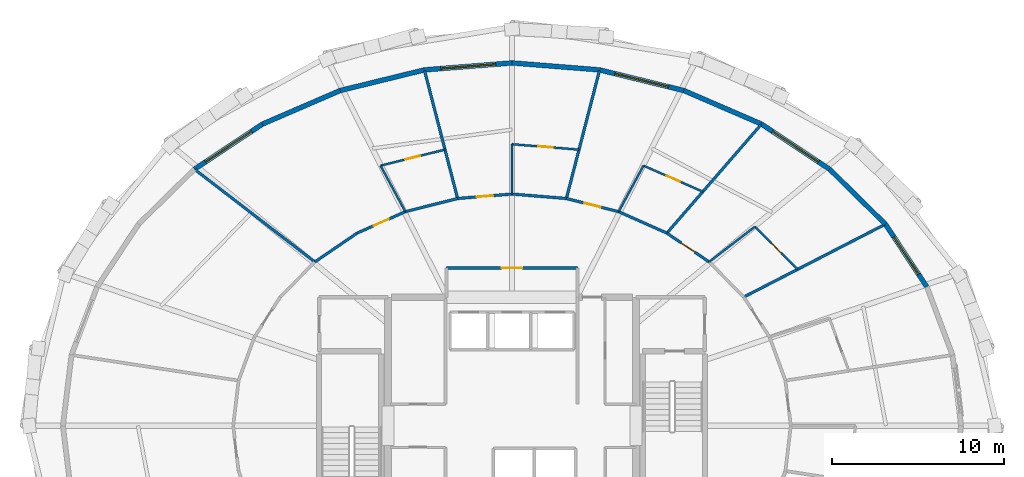
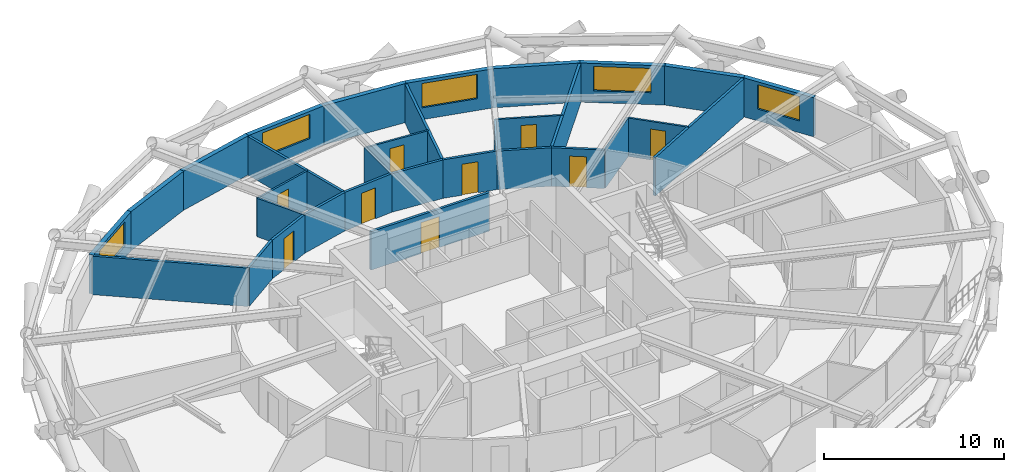
# One storey, part 15 of 18: 32 walls, 9 doors, 5 windows, 14 openings.
"""IFC4 building model written with IfcOpenShell, lengths in metres."""

from ifc_helpers import new_model, si_unit, direction, frame, frame_2d, origin, place, context, subcontext, project, spatial, rectangle, extrude, material, layer, layer_set, type_object, element, fill, save


model = new_model("IFC4")

# Units and contexts
model_context = context("Model", 3, precision=1e-05, world=origin(), true_north=direction((0.0, 1.0)))
body_context = subcontext(model_context, "Body", "Model", "MODEL_VIEW")
ifc_project = project(units=[si_unit("LENGTHUNIT", "METRE"), si_unit("AREAUNIT", "SQUARE_METRE"), si_unit("VOLUMEUNIT", "CUBIC_METRE"), si_unit("PLANEANGLEUNIT", "RADIAN"), si_unit("MASSUNIT", "GRAM", prefix="KILO")], contexts=[model_context])

# Site, building, storey
site_placement = place(None, origin())
site = spatial("IfcSite", under=ifc_project, at=site_placement, CompositionType="ELEMENT")
building_placement = place(site_placement, origin())
building = spatial("IfcBuilding", under=site, at=building_placement, Name="Veldorina Hangang Commons", CompositionType="ELEMENT")
storey_placement = place(building_placement, frame((0.0, 0.0, 41.199951171875)))
storey = spatial("IfcBuildingStorey", under=building, at=storey_placement, Name="L09", CompositionType="ELEMENT", Elevation=41.199951171875)

# Wall, opening, window
ifc_material_1 = material(Name="Stone Roman Travertine", Category="masonry")
ifc_layer_1 = layer(ifc_material_1, 0.280029296875)
ifc_layer_set_1 = layer_set([ifc_layer_1], Name="Stone Roman Travertine")
wall_type_1 = type_object("IfcWallType", Name="EW-TRAV-280", PredefinedType="STANDARD", material=ifc_layer_set_1)
wall_1_placement = place(storey_placement, frame((56.0537109375, 32.0498046875, 0.0), z_axis=(0.0, 0.0, 1.0), x_axis=(-0.551763829148, 0.834000405782, 0.0)))
wall_1 = element("IfcWall", 1, at=wall_1_placement, inside=storey, type_object=wall_type_1, Name="L09 travertine facade wall 02", PredefinedType="STANDARD", context=body_context, shape_type="SweptSolid", body=[
    extrude(rectangle(XDim=4.360595703125, YDim=0.280029296875, at=frame_2d((2.18017578125, 0.0))), origin(), (0.0, 0.0, 1.0), 2.650146484375),
])
opening_1_placement = place(wall_1_placement, frame((0.88037109375, 0.0, 0.800048828125)))
opening_1 = element("IfcOpeningElement", 2, at=opening_1_placement, cuts=wall_1, Name="Opening W-02", PredefinedType="OPENING", context=body_context, shape_type="SweptSolid", body=[
    extrude(rectangle(XDim=2.60009765625, YDim=1.64990234375, at=frame_2d((1.300048828125, 0.824951171875))), frame((0.0, 0.14990234375, 0.0), z_axis=(0.0, -1.0, 0.0), x_axis=(1.0, 0.0, 0.0)), (0.0, 0.0, 1.0), 0.300048828125),
])
ifc_material_2 = material(Name="Glass Low-E Triple IGU", Category="glass")
window_type_1 = type_object("IfcWindowType", Name="WIN-TWR-2600", PartitioningType="SINGLE_PANEL", PredefinedType="WINDOW", material=ifc_material_2)
window_1_placement = place(opening_1_placement, origin())
window_1 = element("IfcWindow", 3, at=window_1_placement, inside=storey, type_object=window_type_1, Name="L09 facade window 02", OverallHeight=1.64990234375, OverallWidth=2.60009765625, PartitioningType="SINGLE_PANEL", PredefinedType="WINDOW", context=body_context, shape_type="SweptSolid", body=[
    extrude(rectangle(XDim=2.60009765625, YDim=1.64990234375, at=frame_2d((1.300048828125, 0.824951171875))), frame((0.0, 0.030029296875, 0.0), z_axis=(0.0, -1.0, 0.0), x_axis=(1.0, 0.0, 0.0)), (0.0, 0.0, 1.0), 0.06005859375),
])
fill(opening_1, window_1)

# Wall
wall_2_placement = place(storey_placement, frame((53.647705078125, 35.6865234375, 0.0), z_axis=(0.0, 0.0, 1.0), x_axis=(-0.712592855148, 0.701577809506, 0.0)))
element("IfcWall", 4, at=wall_2_placement, inside=storey, type_object=wall_type_1, Name="L09 travertine facade wall 03", PredefinedType="STANDARD", context=body_context, shape_type="SweptSolid", body=[
    extrude(rectangle(XDim=4.543701171875, YDim=0.280029296875, at=frame_2d((2.27197265625, 0.0))), origin(), (0.0, 0.0, 1.0), 2.650146484375),
])

# Wall, opening, window
wall_3_placement = place(storey_placement, frame((50.409912109375, 38.874267578125, 0.0), z_axis=(0.0, 0.0, 1.0), x_axis=(-0.833436218894, 0.552615661229, 0.0)))
wall_3 = element("IfcWall", 5, at=wall_3_placement, inside=storey, type_object=wall_type_1, Name="L09 travertine facade wall 04", PredefinedType="STANDARD", context=body_context, shape_type="SweptSolid", body=[
    extrude(rectangle(XDim=4.73388671875, YDim=0.280029296875, at=frame_2d((2.366943359375, 0.0))), origin(), (0.0, 0.0, 1.0), 2.650146484375),
])
opening_2_placement = place(wall_3_placement, frame((0.766845703125, 0.0, 0.800048828125)))
opening_2 = element("IfcOpeningElement", 6, at=opening_2_placement, cuts=wall_3, Name="Opening W-01", PredefinedType="OPENING", context=body_context, shape_type="SweptSolid", body=[
    extrude(rectangle(XDim=3.199951171875, YDim=1.64990234375, at=frame_2d((1.60009765625, 0.824951171875))), frame((0.0, 0.14990234375, 0.0), z_axis=(0.0, -1.0, 0.0), x_axis=(1.0, 0.0, 0.0)), (0.0, 0.0, 1.0), 0.300048828125),
])
window_type_2 = type_object("IfcWindowType", Name="WIN-TWR-3200", PartitioningType="SINGLE_PANEL", PredefinedType="WINDOW", material=ifc_material_2)
window_2_placement = place(opening_2_placement, origin())
window_2 = element("IfcWindow", 7, at=window_2_placement, inside=storey, type_object=window_type_2, Name="L09 facade window 04", OverallHeight=1.64990234375, OverallWidth=3.199951171875, PartitioningType="SINGLE_PANEL", PredefinedType="WINDOW", context=body_context, shape_type="SweptSolid", body=[
    extrude(rectangle(XDim=3.199951171875, YDim=1.64990234375, at=frame_2d((1.60009765625, 0.824951171875))), frame((0.0, 0.030029296875, 0.0), z_axis=(0.0, -1.0, 0.0), x_axis=(1.0, 0.0, 0.0)), (0.0, 0.0, 1.0), 0.06005859375),
])
fill(opening_2, window_2)

# Wall
wall_4_placement = place(storey_placement, frame((46.464599609375, 41.490234375, 0.0), z_axis=(0.0, 0.0, 1.0), x_axis=(-0.918052056251, 0.396459861793, 0.0)))
element("IfcWall", 8, at=wall_4_placement, inside=storey, type_object=wall_type_1, Name="L09 travertine facade wall 05", PredefinedType="STANDARD", context=body_context, shape_type="SweptSolid", body=[
    extrude(rectangle(XDim=4.903076171875, YDim=0.280029296875, at=frame_2d((2.45166015625, 0.0))), origin(), (0.0, 0.0, 1.0), 2.650146484375),
])

# Wall, opening, window
wall_5_placement = place(storey_placement, frame((41.96337890625, 43.43408203125, 0.0), z_axis=(0.0, 0.0, 1.0), x_axis=(-0.971254487448, 0.238043526716, 0.0)))
wall_5 = element("IfcWall", 9, at=wall_5_placement, inside=storey, type_object=wall_type_1, Name="L09 travertine facade wall 06", PredefinedType="STANDARD", context=body_context, shape_type="SweptSolid", body=[
    extrude(rectangle(XDim=5.028564453125, YDim=0.280029296875, at=frame_2d((2.51416015625, 0.0))), origin(), (0.0, 0.0, 1.0), 2.650146484375),
])
opening_3_placement = place(wall_5_placement, frame((0.914306640625, 0.0, 0.800048828125)))
opening_3 = element("IfcOpeningElement", 10, at=opening_3_placement, cuts=wall_5, Name="Opening W-01", PredefinedType="OPENING", context=body_context, shape_type="SweptSolid", body=[
    extrude(rectangle(XDim=3.199951171875, YDim=1.64990234375, at=frame_2d((1.60009765625, 0.824951171875))), frame((0.0, 0.14990234375, 0.0), z_axis=(0.0, -1.0, 0.0), x_axis=(1.0, 0.0, 0.0)), (0.0, 0.0, 1.0), 0.300048828125),
])
window_3_placement = place(opening_3_placement, origin())
window_3 = element("IfcWindow", 11, at=window_3_placement, inside=storey, type_object=window_type_2, Name="L09 facade window 06", OverallHeight=1.64990234375, OverallWidth=3.199951171875, PartitioningType="SINGLE_PANEL", PredefinedType="WINDOW", context=body_context, shape_type="SweptSolid", body=[
    extrude(rectangle(XDim=3.199951171875, YDim=1.64990234375, at=frame_2d((1.60009765625, 0.824951171875))), frame((0.0, 0.030029296875, 0.0), z_axis=(0.0, -1.0, 0.0), x_axis=(1.0, 0.0, 0.0)), (0.0, 0.0, 1.0), 0.06005859375),
])
fill(opening_3, window_3)

# Wall
wall_6_placement = place(storey_placement, frame((37.079345703125, 44.631103515625, 0.0), z_axis=(0.0, 0.0, 1.0), x_axis=(-0.996847191649, 0.079345299177, 0.0)))
element("IfcWall", 12, at=wall_6_placement, inside=storey, type_object=wall_type_1, Name="L09 travertine facade wall 07", PredefinedType="STANDARD", context=body_context, shape_type="SweptSolid", body=[
    extrude(rectangle(XDim=5.095458984375, YDim=0.280029296875, at=frame_2d((2.5478515625, 0.0))), origin(), (0.0, 0.0, 1.0), 2.650146484375),
])

# Wall, opening, window
wall_7_placement = place(storey_placement, frame((32.0, 45.035400390625, 0.0), z_axis=(0.0, 0.0, 1.0), x_axis=(-0.996847191649, -0.079345299177, 0.0)))
wall_7 = element("IfcWall", 13, at=wall_7_placement, inside=storey, type_object=wall_type_1, Name="L09 travertine facade wall 08", PredefinedType="STANDARD", context=body_context, shape_type="SweptSolid", body=[
    extrude(rectangle(XDim=5.095458984375, YDim=0.280029296875, at=frame_2d((2.5478515625, 0.0))), origin(), (0.0, 0.0, 1.0), 2.650146484375),
])
opening_4_placement = place(wall_7_placement, frame((0.94775390625, 0.0, 0.800048828125)))
opening_4 = element("IfcOpeningElement", 14, at=opening_4_placement, cuts=wall_7, Name="Opening W-01", PredefinedType="OPENING", context=body_context, shape_type="SweptSolid", body=[
    extrude(rectangle(XDim=3.199951171875, YDim=1.64990234375, at=frame_2d((1.60009765625, 0.824951171875))), frame((0.0, 0.14990234375, 0.0), z_axis=(0.0, -1.0, 0.0), x_axis=(1.0, 0.0, 0.0)), (0.0, 0.0, 1.0), 0.300048828125),
])
window_4_placement = place(opening_4_placement, origin())
window_4 = element("IfcWindow", 15, at=window_4_placement, inside=storey, type_object=window_type_2, Name="L09 facade window 08", OverallHeight=1.64990234375, OverallWidth=3.199951171875, PartitioningType="SINGLE_PANEL", PredefinedType="WINDOW", context=body_context, shape_type="SweptSolid", body=[
    extrude(rectangle(XDim=3.199951171875, YDim=1.64990234375, at=frame_2d((1.60009765625, 0.824951171875))), frame((0.0, 0.030029296875, 0.0), z_axis=(0.0, -1.0, 0.0), x_axis=(1.0, 0.0, 0.0)), (0.0, 0.0, 1.0), 0.06005859375),
])
fill(opening_4, window_4)

# Walls
wall_8_placement = place(storey_placement, frame((26.920654296875, 44.631103515625, 0.0), z_axis=(0.0, 0.0, 1.0), x_axis=(-0.971254487448, -0.238043526716, 0.0)))
element("IfcWall", 16, at=wall_8_placement, inside=storey, type_object=wall_type_1, Name="L09 travertine facade wall 09", PredefinedType="STANDARD", context=body_context, shape_type="SweptSolid", body=[
    extrude(rectangle(XDim=5.028564453125, YDim=0.280029296875, at=frame_2d((2.51416015625, 0.0))), origin(), (0.0, 0.0, 1.0), 2.650146484375),
])
wall_9_placement = place(storey_placement, frame((22.03662109375, 43.43408203125, 0.0), z_axis=(0.0, 0.0, 1.0), x_axis=(-0.918052056251, -0.396459861793, 0.0)))
element("IfcWall", 17, at=wall_9_placement, inside=storey, type_object=wall_type_1, Name="L09 travertine facade wall 10", PredefinedType="STANDARD", context=body_context, shape_type="SweptSolid", body=[
    extrude(rectangle(XDim=4.903076171875, YDim=0.280029296875, at=frame_2d((2.45166015625, 0.0))), origin(), (0.0, 0.0, 1.0), 2.650146484375),
])

# Wall, opening, window
wall_10_placement = place(storey_placement, frame((17.535400390625, 41.490234375, 0.0), z_axis=(0.0, 0.0, 1.0), x_axis=(-0.833436218894, -0.552615661229, 0.0)))
wall_10 = element("IfcWall", 18, at=wall_10_placement, inside=storey, type_object=wall_type_1, Name="L09 travertine facade wall 11", PredefinedType="STANDARD", context=body_context, shape_type="SweptSolid", body=[
    extrude(rectangle(XDim=4.73388671875, YDim=0.280029296875, at=frame_2d((2.366943359375, 0.0))), origin(), (0.0, 0.0, 1.0), 2.650146484375),
])
opening_5_placement = place(wall_10_placement, frame((0.766845703125, 0.0, 0.800048828125)))
opening_5 = element("IfcOpeningElement", 19, at=opening_5_placement, cuts=wall_10, Name="Opening W-01", PredefinedType="OPENING", context=body_context, shape_type="SweptSolid", body=[
    extrude(rectangle(XDim=3.199951171875, YDim=1.64990234375, at=frame_2d((1.60009765625, 0.824951171875))), frame((0.0, 0.14990234375, 0.0), z_axis=(0.0, -1.0, 0.0), x_axis=(1.0, 0.0, 0.0)), (0.0, 0.0, 1.0), 0.300048828125),
])
window_5_placement = place(opening_5_placement, origin())
window_5 = element("IfcWindow", 20, at=window_5_placement, inside=storey, type_object=window_type_2, Name="L09 facade window 11", OverallHeight=1.64990234375, OverallWidth=3.199951171875, PartitioningType="SINGLE_PANEL", PredefinedType="WINDOW", context=body_context, shape_type="SweptSolid", body=[
    extrude(rectangle(XDim=3.199951171875, YDim=1.64990234375, at=frame_2d((1.60009765625, 0.824951171875))), frame((0.0, 0.030029296875, 0.0), z_axis=(0.0, -1.0, 0.0), x_axis=(1.0, 0.0, 0.0)), (0.0, 0.0, 1.0), 0.06005859375),
])
fill(opening_5, window_5)

# Wall, opening, door
ifc_material_3 = material(Name="Gypsum Fire-Rated Twin Stud Wall", Category="gypsum")
ifc_layer_2 = layer(ifc_material_3, 0.159912109375)
ifc_layer_set_2 = layer_set([ifc_layer_2], Name="Gypsum Fire-Rated Twin Stud Wall")
wall_type_2 = type_object("IfcWallType", Name="WL-FIRE-160", PredefinedType="SOLIDWALL", material=ifc_layer_set_2)
wall_11_placement = place(storey_placement, frame((28.199951171875, 33.14990234375, 0.0), z_axis=(0.0, 0.0, 1.0), x_axis=(1.0, 0.0, 0.0)))
wall_11 = element("IfcWall", 21, at=wall_11_placement, inside=storey, type_object=wall_type_2, Name="L09 North lobby north wall 034", PredefinedType="SOLIDWALL", context=body_context, shape_type="SweptSolid", body=[
    extrude(rectangle(XDim=7.60009765625, YDim=0.159912109375, at=frame_2d((3.800048828125, 0.0))), origin(), (0.0, 0.0, 1.0), 2.610107421875),
])
opening_6_placement = place(wall_11_placement, frame((3.199951171875, 0.0, 0.0)))
opening_6 = element("IfcOpeningElement", 22, at=opening_6_placement, cuts=wall_11, Name="Opening D-09", PredefinedType="OPENING", context=body_context, shape_type="SweptSolid", body=[
    extrude(rectangle(XDim=1.199951171875, YDim=2.10009765625, at=frame_2d((0.60009765625, 1.050048828125))), frame((0.0, 0.08984375, 0.0), z_axis=(0.0, -1.0, 0.0), x_axis=(1.0, 0.0, 0.0)), (0.0, 0.0, 1.0), 0.179931640625),
])
ifc_material_4 = material(Name="Steel Fire-Rated Corridor Door", Category="steel")
door_type_1 = type_object("IfcDoorType", Name="DR-FIRE-1200", OperationType="SINGLE_SWING_LEFT", PredefinedType="DOOR", material=ifc_material_4)
door_1_placement = place(opening_6_placement, origin())
door_1 = element("IfcDoor", 23, at=door_1_placement, inside=storey, type_object=door_type_1, Name="L09 North lift lobby corridor door 012", OperationType="SINGLE_SWING_RIGHT", OverallHeight=2.10009765625, OverallWidth=1.199951171875, PredefinedType="DOOR", context=body_context, shape_type="SweptSolid", body=[
    extrude(rectangle(XDim=1.199951171875, YDim=2.10009765625, at=frame_2d((0.60009765625, 1.050048828125))), frame((0.0, 0.02490234375, 0.0), z_axis=(0.0, -1.0, 0.0), x_axis=(1.0, 0.0, 0.0)), (0.0, 0.0, 1.0), 0.050048828125),
])
fill(opening_6, door_1)

wall_12_placement = place(storey_placement, frame((43.42822265625, 33.499267578125, 0.0), z_axis=(0.0, 0.0, 1.0), x_axis=(-0.826112340767, 0.563505457323, 0.0)))
wall_12 = element("IfcWall", 24, at=wall_12_placement, inside=storey, type_object=wall_type_2, Name="L09 Corridor outer wall 04 049", PredefinedType="SOLIDWALL", context=body_context, shape_type="SweptSolid", body=[
    extrude(rectangle(XDim=2.96484375, YDim=0.159912109375, at=frame_2d((1.482421875, 0.0))), origin(), (0.0, 0.0, 1.0), 2.610107421875),
])
opening_7_placement = place(wall_12_placement, frame((1.00732421875, 0.0, 0.0)))
opening_7 = element("IfcOpeningElement", 25, at=opening_7_placement, cuts=wall_12, Name="Opening D-03", PredefinedType="OPENING", context=body_context, shape_type="SweptSolid", body=[
    extrude(rectangle(XDim=0.949951171875, YDim=2.10009765625, at=frame_2d((0.47509765625, 1.050048828125))), frame((0.0, 0.08984375, 0.0), z_axis=(0.0, -1.0, 0.0), x_axis=(1.0, 0.0, 0.0)), (0.0, 0.0, 1.0), 0.179931640625),
])
ifc_material_5 = material(Name="Timber Fire-Rated Entrance Core", Category="wood")
door_type_2 = type_object("IfcDoorType", Name="DR-UNIT-950", OperationType="SINGLE_SWING_RIGHT", PredefinedType="DOOR", material=ifc_material_5)
door_2_placement = place(opening_7_placement, origin())
door_2 = element("IfcDoor", 26, at=door_2_placement, inside=storey, type_object=door_type_2, Name="L09 Studio 6 entrance door 030", OperationType="SINGLE_SWING_RIGHT", OverallHeight=2.10009765625, OverallWidth=0.949951171875, PredefinedType="DOOR", context=body_context, shape_type="SweptSolid", body=[
    extrude(rectangle(XDim=0.949951171875, YDim=2.10009765625, at=frame_2d((0.47509765625, 1.050048828125))), frame((0.0, 0.02490234375, 0.0), z_axis=(0.0, -1.0, 0.0), x_axis=(1.0, 0.0, 0.0)), (0.0, 0.0, 1.0), 0.050048828125),
])
fill(opening_7, door_2)

# Wall
wall_13_placement = place(storey_placement, frame((40.97900390625, 35.169921875, 0.0), z_axis=(0.0, 0.0, 1.0), x_axis=(-0.913860932409, 0.406027334321, 0.0)))
element("IfcWall", 27, at=wall_13_placement, inside=storey, type_object=wall_type_2, Name="L09 Corridor outer wall 05 050", PredefinedType="SOLIDWALL", context=body_context, shape_type="SweptSolid", body=[
    extrude(rectangle(XDim=3.0576171875, YDim=0.159912109375, at=frame_2d((1.52880859375, 0.0))), origin(), (0.0, 0.0, 1.0), 2.610107421875),
])

# Wall, opening, door
wall_14_placement = place(storey_placement, frame((38.184814453125, 36.411376953125, 0.0), z_axis=(0.0, 0.0, 1.0), x_axis=(-0.969653665365, 0.244482656326, 0.0)))
wall_14 = element("IfcWall", 28, at=wall_14_placement, inside=storey, type_object=wall_type_2, Name="L09 Corridor outer wall 06 051", PredefinedType="SOLIDWALL", context=body_context, shape_type="SweptSolid", body=[
    extrude(rectangle(XDim=3.126708984375, YDim=0.159912109375, at=frame_2d((1.5634765625, 0.0))), origin(), (0.0, 0.0, 1.0), 2.610107421875),
])
opening_8_placement = place(wall_14_placement, frame((1.08837890625, 0.0, 0.0)))
opening_8 = element("IfcOpeningElement", 29, at=opening_8_placement, cuts=wall_14, Name="Opening D-03", PredefinedType="OPENING", context=body_context, shape_type="SweptSolid", body=[
    extrude(rectangle(XDim=0.949951171875, YDim=2.10009765625, at=frame_2d((0.47509765625, 1.050048828125))), frame((0.0, 0.08984375, 0.0), z_axis=(0.0, -1.0, 0.0), x_axis=(1.0, 0.0, 0.0)), (0.0, 0.0, 1.0), 0.179931640625),
])
door_3_placement = place(opening_8_placement, origin())
door_3 = element("IfcDoor", 30, at=door_3_placement, inside=storey, type_object=door_type_2, Name="L09 Studio 7 entrance door 032", OperationType="SINGLE_SWING_RIGHT", OverallHeight=2.10009765625, OverallWidth=0.949951171875, PredefinedType="DOOR", context=body_context, shape_type="SweptSolid", body=[
    extrude(rectangle(XDim=0.949951171875, YDim=2.10009765625, at=frame_2d((0.47509765625, 1.050048828125))), frame((0.0, 0.02490234375, 0.0), z_axis=(0.0, -1.0, 0.0), x_axis=(1.0, 0.0, 0.0)), (0.0, 0.0, 1.0), 0.050048828125),
])
fill(opening_8, door_3)

# Wall
wall_15_placement = place(storey_placement, frame((35.153076171875, 37.17578125, 0.0), z_axis=(0.0, 0.0, 1.0), x_axis=(-0.996661331307, 0.081646743207, 0.0)))
element("IfcWall", 31, at=wall_15_placement, inside=storey, type_object=wall_type_2, Name="L09 Corridor outer wall 07 052", PredefinedType="SOLIDWALL", context=body_context, shape_type="SweptSolid", body=[
    extrude(rectangle(XDim=3.16357421875, YDim=0.159912109375, at=frame_2d((1.581787109375, 0.0))), origin(), (0.0, 0.0, 1.0), 2.610107421875),
])

# Wall, opening, door
wall_16_placement = place(storey_placement, frame((32.0, 37.43408203125, 0.0), z_axis=(0.0, 0.0, 1.0), x_axis=(-0.996661331307, -0.081646743207, 0.0)))
wall_16 = element("IfcWall", 32, at=wall_16_placement, inside=storey, type_object=wall_type_2, Name="L09 Corridor outer wall 08 053", PredefinedType="SOLIDWALL", context=body_context, shape_type="SweptSolid", body=[
    extrude(rectangle(XDim=3.16357421875, YDim=0.159912109375, at=frame_2d((1.581787109375, 0.0))), origin(), (0.0, 0.0, 1.0), 2.610107421875),
])
opening_9_placement = place(wall_16_placement, frame((1.106689453125, 0.0, 0.0)))
opening_9 = element("IfcOpeningElement", 33, at=opening_9_placement, cuts=wall_16, Name="Opening D-03", PredefinedType="OPENING", context=body_context, shape_type="SweptSolid", body=[
    extrude(rectangle(XDim=0.949951171875, YDim=2.10009765625, at=frame_2d((0.47509765625, 1.050048828125))), frame((0.0, 0.08984375, 0.0), z_axis=(0.0, -1.0, 0.0), x_axis=(1.0, 0.0, 0.0)), (0.0, 0.0, 1.0), 0.179931640625),
])
door_4_placement = place(opening_9_placement, origin())
door_4 = element("IfcDoor", 34, at=door_4_placement, inside=storey, type_object=door_type_2, Name="L09 Studio 8 entrance door 034", OperationType="SINGLE_SWING_RIGHT", OverallHeight=2.10009765625, OverallWidth=0.949951171875, PredefinedType="DOOR", context=body_context, shape_type="SweptSolid", body=[
    extrude(rectangle(XDim=0.949951171875, YDim=2.10009765625, at=frame_2d((0.47509765625, 1.050048828125))), frame((0.0, 0.02490234375, 0.0), z_axis=(0.0, -1.0, 0.0), x_axis=(1.0, 0.0, 0.0)), (0.0, 0.0, 1.0), 0.050048828125),
])
fill(opening_9, door_4)

# Wall
wall_17_placement = place(storey_placement, frame((28.846923828125, 37.17578125, 0.0), z_axis=(0.0, 0.0, 1.0), x_axis=(-0.969653665365, -0.244482656326, 0.0)))
element("IfcWall", 35, at=wall_17_placement, inside=storey, type_object=wall_type_2, Name="L09 Corridor outer wall 09 054", PredefinedType="SOLIDWALL", context=body_context, shape_type="SweptSolid", body=[
    extrude(rectangle(XDim=3.126708984375, YDim=0.159912109375, at=frame_2d((1.5634765625, 0.0))), origin(), (0.0, 0.0, 1.0), 2.610107421875),
])

# Wall, opening, door
wall_18_placement = place(storey_placement, frame((25.815185546875, 36.411376953125, 0.0), z_axis=(0.0, 0.0, 1.0), x_axis=(-0.913860932409, -0.406027334321, 0.0)))
wall_18 = element("IfcWall", 36, at=wall_18_placement, inside=storey, type_object=wall_type_2, Name="L09 Corridor outer wall 10 055", PredefinedType="SOLIDWALL", context=body_context, shape_type="SweptSolid", body=[
    extrude(rectangle(XDim=3.0576171875, YDim=0.159912109375, at=frame_2d((1.52880859375, 0.0))), origin(), (0.0, 0.0, 1.0), 2.610107421875),
])
opening_10_placement = place(wall_18_placement, frame((1.0537109375, 0.0, 0.0)))
opening_10 = element("IfcOpeningElement", 37, at=opening_10_placement, cuts=wall_18, Name="Opening D-03", PredefinedType="OPENING", context=body_context, shape_type="SweptSolid", body=[
    extrude(rectangle(XDim=0.949951171875, YDim=2.10009765625, at=frame_2d((0.47509765625, 1.050048828125))), frame((0.0, 0.08984375, 0.0), z_axis=(0.0, -1.0, 0.0), x_axis=(1.0, 0.0, 0.0)), (0.0, 0.0, 1.0), 0.179931640625),
])
door_5_placement = place(opening_10_placement, origin())
door_5 = element("IfcDoor", 38, at=door_5_placement, inside=storey, type_object=door_type_2, Name="L09 Studio 9 entrance door 036", OperationType="SINGLE_SWING_RIGHT", OverallHeight=2.10009765625, OverallWidth=0.949951171875, PredefinedType="DOOR", context=body_context, shape_type="SweptSolid", body=[
    extrude(rectangle(XDim=0.949951171875, YDim=2.10009765625, at=frame_2d((0.47509765625, 1.050048828125))), frame((0.0, 0.02490234375, 0.0), z_axis=(0.0, -1.0, 0.0), x_axis=(1.0, 0.0, 0.0)), (0.0, 0.0, 1.0), 0.050048828125),
])
fill(opening_10, door_5)

# Walls
wall_19_placement = place(storey_placement, frame((23.02099609375, 35.169921875, 0.0), z_axis=(0.0, 0.0, 1.0), x_axis=(-0.826112340767, -0.563505457323, 0.0)))
element("IfcWall", 39, at=wall_19_placement, inside=storey, type_object=wall_type_2, Name="L09 Corridor outer wall 11 056", PredefinedType="SOLIDWALL", context=body_context, shape_type="SweptSolid", body=[
    extrude(rectangle(XDim=2.96484375, YDim=0.159912109375, at=frame_2d((1.482421875, 0.0))), origin(), (0.0, 0.0, 1.0), 2.610107421875),
])
wall_20_placement = place(storey_placement, frame((45.438232421875, 31.46337890625, 0.0), z_axis=(0.0, 0.0, 1.0), x_axis=(0.889225689498, 0.45746876739, 0.0)))
element("IfcWall", 40, at=wall_20_placement, inside=storey, type_object=wall_type_2, Name="L09 Unit party wall 03 096", PredefinedType="SOLIDWALL", context=body_context, shape_type="SweptSolid", body=[
    extrude(rectangle(XDim=9.181884765625, YDim=0.159912109375, at=frame_2d((4.5908203125, 0.0))), origin(), (0.0, 0.0, 1.0), 2.610107421875),
])
wall_21_placement = place(storey_placement, frame((40.97900390625, 35.169921875, 0.0), z_axis=(0.0, 0.0, 1.0), x_axis=(0.655467806581, 0.755223115732, 0.0)))
element("IfcWall", 41, at=wall_21_placement, inside=storey, type_object=wall_type_2, Name="L09 Unit party wall 05 099", PredefinedType="SOLIDWALL", context=body_context, shape_type="SweptSolid", body=[
    extrude(rectangle(XDim=8.318603515625, YDim=0.159912109375, at=frame_2d((4.1591796875, 0.0))), origin(), (0.0, 0.0, 1.0), 2.610107421875),
])
for number, where, z_axis, x_axis, name in (
    (42, (35.153076171875, 37.17578125, 0.0), (0.0, 0.0, 1.0), (0.250164663108, 0.968203305784, 0.0), "L09 Unit party wall 07 102"),
    (43, (28.846923828125, 37.17578125, 0.0), (0.0, 0.0, 1.0), (-0.250164663108, 0.968203305784, 0.0), "L09 Unit party wall 09 105"),
):
    element("IfcWall", number, at=place(storey_placement, frame(where, z_axis=z_axis, x_axis=x_axis)), inside=storey, type_object=wall_type_2, Name=name, PredefinedType="SOLIDWALL", context=body_context, shape_type="SweptSolid", body=[
        extrude(rectangle(XDim=7.650146484375, YDim=0.159912109375, at=frame_2d((3.8251953125, 0.0))), origin(), (0.0, 0.0, 1.0), 2.610107421875),
    ])
wall_22_placement = place(storey_placement, frame((20.57177734375, 33.499267578125, 0.0), z_axis=(0.0, 0.0, 1.0), x_axis=(-0.792372185587, 0.610037965629, 0.0)))
element("IfcWall", 44, at=wall_22_placement, inside=storey, type_object=wall_type_2, Name="L09 Unit party wall 12 108", PredefinedType="SOLIDWALL", context=body_context, shape_type="SweptSolid", body=[
    extrude(rectangle(XDim=8.760986328125, YDim=0.159912109375, at=frame_2d((4.38037109375, 0.0))), origin(), (0.0, 0.0, 1.0), 2.610107421875),
])

# Wall, opening, door
ifc_material_6 = material(Name="Gypsum Acoustic Stud Partition", Category="gypsum")
ifc_layer_3 = layer(ifc_material_6, 0.1201171875)
ifc_layer_set_3 = layer_set([ifc_layer_3], Name="Gypsum Acoustic Stud Partition")
wall_type_3 = type_object("IfcWallType", Name="WL-PART-120", PredefinedType="PARTITIONING", material=ifc_layer_set_3)
wall_23_placement = place(storey_placement, frame((48.557861328125, 33.068359375, 0.0), z_axis=(0.0, 0.0, 1.0), x_axis=(-0.707560021101, 0.706653250569, 0.0)))
wall_23 = element("IfcWall", 45, at=wall_23_placement, inside=storey, type_object=wall_type_3, Name="L09 Studio 6 bath front wall 097", PredefinedType="PARTITIONING", context=body_context, shape_type="SweptSolid", body=[
    extrude(rectangle(XDim=3.500244140625, YDim=0.1201171875, at=frame_2d((1.75, 0.0))), origin(), (0.0, 0.0, 1.0), 2.610107421875),
])
opening_11_placement = place(wall_23_placement, frame((1.320068359375, 0.0, 0.0)))
opening_11 = element("IfcOpeningElement", 46, at=opening_11_placement, cuts=wall_23, Name="Opening D-01", PredefinedType="OPENING", context=body_context, shape_type="SweptSolid", body=[
    extrude(rectangle(XDim=0.860107421875, YDim=2.10009765625, at=frame_2d((0.43017578125, 1.050048828125))), frame((0.0, 0.070068359375, 0.0), z_axis=(0.0, -1.0, 0.0), x_axis=(1.0, 0.0, 0.0)), (0.0, 0.0, 1.0), 0.14013671875),
])
ifc_material_7 = material(Name="Timber Moisture-Resistant Core", Category="wood")
door_type_3 = type_object("IfcDoorType", Name="DR-WET-860", OperationType="SINGLE_SWING_LEFT", PredefinedType="DOOR", material=ifc_material_7)
door_6_placement = place(opening_11_placement, origin())
door_6 = element("IfcDoor", 47, at=door_6_placement, inside=storey, type_object=door_type_3, Name="L09 Studio 6 bathroom door 029", OperationType="SINGLE_SWING_LEFT", OverallHeight=2.10009765625, OverallWidth=0.860107421875, PredefinedType="DOOR", context=body_context, shape_type="SweptSolid", body=[
    extrude(rectangle(XDim=0.860107421875, YDim=2.10009765625, at=frame_2d((0.43017578125, 1.050048828125))), frame((0.0, 0.02490234375, 0.0), z_axis=(0.0, -1.0, 0.0), x_axis=(1.0, 0.0, 0.0)), (0.0, 0.0, 1.0), 0.050048828125),
])
fill(opening_11, door_6)

# Wall
wall_24_placement = place(storey_placement, frame((43.42822265625, 33.499267578125, 0.0), z_axis=(0.0, 0.0, 1.0), x_axis=(0.792385390658, 0.61002081331, 0.0)))
element("IfcWall", 48, at=wall_24_placement, inside=storey, type_object=wall_type_3, Name="L09 Studio 6 bath side wall 098", PredefinedType="PARTITIONING", context=body_context, shape_type="SweptSolid", body=[
    extrude(rectangle(XDim=3.34814453125, YDim=0.1201171875, at=frame_2d((1.674072265625, 0.0))), origin(), (0.0, 0.0, 1.0), 2.610107421875),
])

# Wall, opening, door
wall_25_placement = place(storey_placement, frame((43.063720703125, 37.57177734375, 0.0), z_axis=(0.0, 0.0, 1.0), x_axis=(-0.915967923971, 0.401251495022, 0.0)))
wall_25 = element("IfcWall", 49, at=wall_25_placement, inside=storey, type_object=wall_type_3, Name="L09 Studio 7 bath front wall 100", PredefinedType="PARTITIONING", context=body_context, shape_type="SweptSolid", body=[
    extrude(rectangle(XDim=3.759033203125, YDim=0.1201171875, at=frame_2d((1.87939453125, 0.0))), origin(), (0.0, 0.0, 1.0), 2.610107421875),
])
opening_12_placement = place(wall_25_placement, frame((1.449462890625, 0.0, 0.0)))
opening_12 = element("IfcOpeningElement", 50, at=opening_12_placement, cuts=wall_25, Name="Opening D-01", PredefinedType="OPENING", context=body_context, shape_type="SweptSolid", body=[
    extrude(rectangle(XDim=0.860107421875, YDim=2.10009765625, at=frame_2d((0.43017578125, 1.050048828125))), frame((0.0, 0.070068359375, 0.0), z_axis=(0.0, -1.0, 0.0), x_axis=(1.0, 0.0, 0.0)), (0.0, 0.0, 1.0), 0.14013671875),
])
door_7_placement = place(opening_12_placement, origin())
door_7 = element("IfcDoor", 51, at=door_7_placement, inside=storey, type_object=door_type_3, Name="L09 Studio 7 bathroom door 031", OperationType="SINGLE_SWING_LEFT", OverallHeight=2.10009765625, OverallWidth=0.860107421875, PredefinedType="DOOR", context=body_context, shape_type="SweptSolid", body=[
    extrude(rectangle(XDim=0.860107421875, YDim=2.10009765625, at=frame_2d((0.43017578125, 1.050048828125))), frame((0.0, 0.02490234375, 0.0), z_axis=(0.0, -1.0, 0.0), x_axis=(1.0, 0.0, 0.0)), (0.0, 0.0, 1.0), 0.050048828125),
])
fill(opening_12, door_7)

# Wall
wall_26_placement = place(storey_placement, frame((38.184814453125, 36.411376953125, 0.0), z_axis=(0.0, 0.0, 1.0), x_axis=(0.473792323472, 0.880636607358, 0.0)))
element("IfcWall", 52, at=wall_26_placement, inside=storey, type_object=wall_type_3, Name="L09 Studio 7 bath side wall 101", PredefinedType="PARTITIONING", context=body_context, shape_type="SweptSolid", body=[
    extrude(rectangle(XDim=3.030517578125, YDim=0.1201171875, at=frame_2d((1.51513671875, 0.0))), origin(), (0.0, 0.0, 1.0), 2.610107421875),
])

# Wall, opening, door
wall_27_placement = place(storey_placement, frame((35.885009765625, 40.0087890625, 0.0), z_axis=(0.0, 0.0, 1.0), x_axis=(-0.996755449866, 0.080489584181, 0.0)))
wall_27 = element("IfcWall", 53, at=wall_27_placement, inside=storey, type_object=wall_type_3, Name="L09 Studio 8 bath front wall 103", PredefinedType="PARTITIONING", context=body_context, shape_type="SweptSolid", body=[
    extrude(rectangle(XDim=3.897705078125, YDim=0.1201171875, at=frame_2d((1.94873046875, 0.0))), origin(), (0.0, 0.0, 1.0), 2.610107421875),
])
opening_13_placement = place(wall_27_placement, frame((1.518798828125, 0.0, 0.0)))
opening_13 = element("IfcOpeningElement", 54, at=opening_13_placement, cuts=wall_27, Name="Opening D-01", PredefinedType="OPENING", context=body_context, shape_type="SweptSolid", body=[
    extrude(rectangle(XDim=0.860107421875, YDim=2.10009765625, at=frame_2d((0.43017578125, 1.050048828125))), frame((0.0, 0.070068359375, 0.0), z_axis=(0.0, -1.0, 0.0), x_axis=(1.0, 0.0, 0.0)), (0.0, 0.0, 1.0), 0.14013671875),
])
door_8_placement = place(opening_13_placement, origin())
door_8 = element("IfcDoor", 55, at=door_8_placement, inside=storey, type_object=door_type_3, Name="L09 Studio 8 bathroom door 033", OperationType="SINGLE_SWING_LEFT", OverallHeight=2.10009765625, OverallWidth=0.860107421875, PredefinedType="DOOR", context=body_context, shape_type="SweptSolid", body=[
    extrude(rectangle(XDim=0.860107421875, YDim=2.10009765625, at=frame_2d((0.43017578125, 1.050048828125))), frame((0.0, 0.02490234375, 0.0), z_axis=(0.0, -1.0, 0.0), x_axis=(1.0, 0.0, 0.0)), (0.0, 0.0, 1.0), 0.050048828125),
])
fill(opening_13, door_8)

# Wall
wall_28_placement = place(storey_placement, frame((32.0, 37.43408203125, 0.0), z_axis=(0.0, 0.0, 1.0), x_axis=(0.0, 1.0, 0.0)))
element("IfcWall", 56, at=wall_28_placement, inside=storey, type_object=wall_type_3, Name="L09 Studio 8 bath side wall 104", PredefinedType="PARTITIONING", context=body_context, shape_type="SweptSolid", body=[
    extrude(rectangle(XDim=2.888427734375, YDim=0.1201171875, at=frame_2d((1.4443359375, 0.0))), origin(), (0.0, 0.0, 1.0), 2.610107421875),
])

# Wall, opening, door
wall_29_placement = place(storey_placement, frame((28.114990234375, 40.0087890625, 0.0), z_axis=(0.0, 0.0, 1.0), x_axis=(-0.97045879352, -0.241266927034, 0.0)))
wall_29 = element("IfcWall", 57, at=wall_29_placement, inside=storey, type_object=wall_type_3, Name="L09 Studio 9 bath front wall 106", PredefinedType="PARTITIONING", context=body_context, shape_type="SweptSolid", body=[
    extrude(rectangle(XDim=3.849365234375, YDim=0.1201171875, at=frame_2d((1.9248046875, 0.0))), origin(), (0.0, 0.0, 1.0), 2.610107421875),
])
opening_14_placement = place(wall_29_placement, frame((1.49462890625, 0.0, 0.0)))
opening_14 = element("IfcOpeningElement", 58, at=opening_14_placement, cuts=wall_29, Name="Opening D-01", PredefinedType="OPENING", context=body_context, shape_type="SweptSolid", body=[
    extrude(rectangle(XDim=0.860107421875, YDim=2.10009765625, at=frame_2d((0.43017578125, 1.050048828125))), frame((0.0, 0.070068359375, 0.0), z_axis=(0.0, -1.0, 0.0), x_axis=(1.0, 0.0, 0.0)), (0.0, 0.0, 1.0), 0.14013671875),
])
door_9_placement = place(opening_14_placement, origin())
door_9 = element("IfcDoor", 59, at=door_9_placement, inside=storey, type_object=door_type_3, Name="L09 Studio 9 bathroom door 035", OperationType="SINGLE_SWING_LEFT", OverallHeight=2.10009765625, OverallWidth=0.860107421875, PredefinedType="DOOR", context=body_context, shape_type="SweptSolid", body=[
    extrude(rectangle(XDim=0.860107421875, YDim=2.10009765625, at=frame_2d((0.43017578125, 1.050048828125))), frame((0.0, 0.02490234375, 0.0), z_axis=(0.0, -1.0, 0.0), x_axis=(1.0, 0.0, 0.0)), (0.0, 0.0, 1.0), 0.050048828125),
])
fill(opening_14, door_9)

# Wall
wall_30_placement = place(storey_placement, frame((25.815185546875, 36.411376953125, 0.0), z_axis=(0.0, 0.0, 1.0), x_axis=(-0.473792323472, 0.880636607358, 0.0)))
element("IfcWall", 60, at=wall_30_placement, inside=storey, type_object=wall_type_3, Name="L09 Studio 9 bath side wall 107", PredefinedType="PARTITIONING", context=body_context, shape_type="SweptSolid", body=[
    extrude(rectangle(XDim=3.030517578125, YDim=0.1201171875, at=frame_2d((1.51513671875, 0.0))), origin(), (0.0, 0.0, 1.0), 2.610107421875),
])

save(model, "model.ifc")
